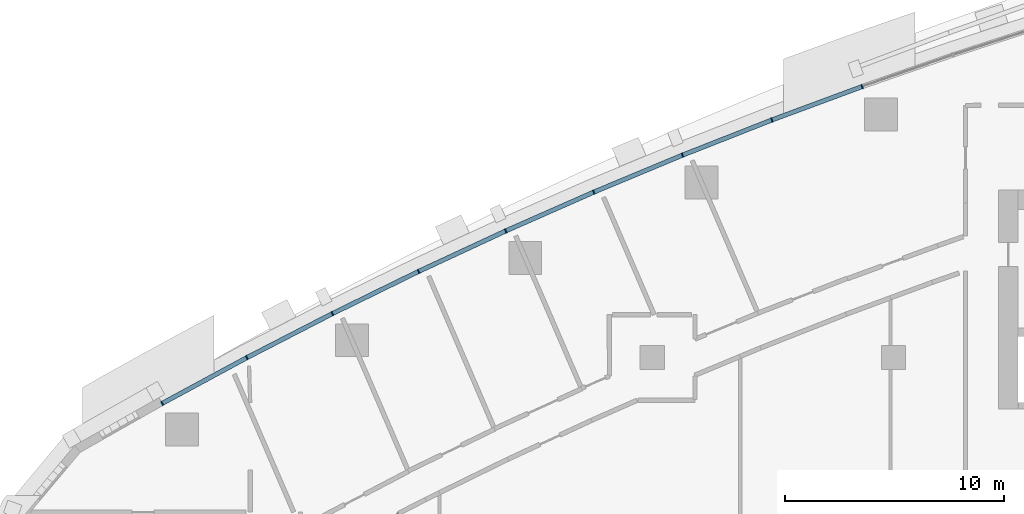
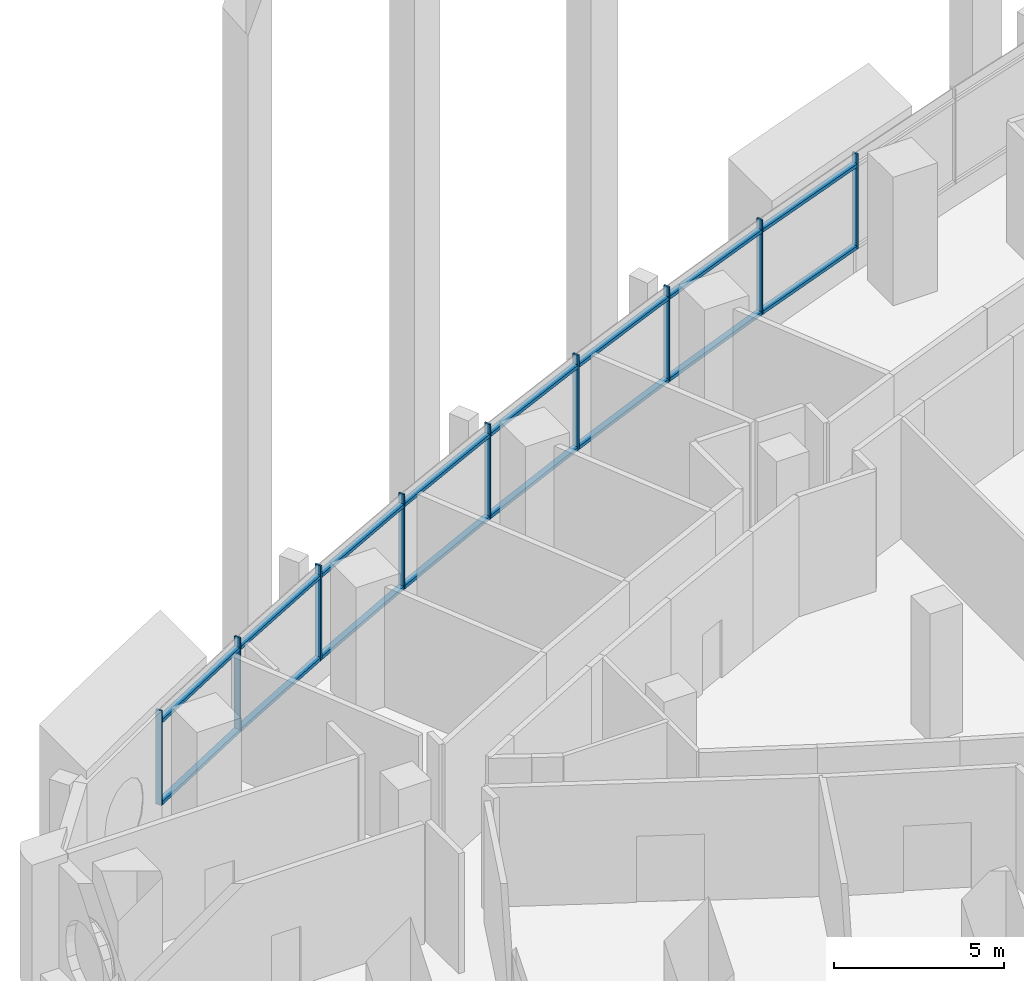
# One storey, part 4 of 17: 25 members, 5 elements without a shape of their own.
"""IFC4 building model written with IfcOpenShell, lengths in metres."""

from ifc_helpers import new_model, si_unit, direction, frame, origin, origin_2d, place, context, subcontext, project, spatial, rectangle, extrude, material, layer, layer_set, material_profile, profile_set, type_object, element, aggregate, save


model = new_model("IFC4")

# Units and contexts
model_context = context("Model", 3, precision=1e-05, world=origin(), true_north=direction((0.0, 1.0)))
body_context = subcontext(model_context, "Body", "Model", "MODEL_VIEW")
ifc_project = project(units=[si_unit("LENGTHUNIT", "METRE"), si_unit("AREAUNIT", "SQUARE_METRE"), si_unit("VOLUMEUNIT", "CUBIC_METRE"), si_unit("PLANEANGLEUNIT", "RADIAN"), si_unit("MASSUNIT", "GRAM", prefix="KILO")], contexts=[model_context])

# Site, building, storey
site_placement = place(None, origin())
site = spatial("IfcSite", under=ifc_project, at=site_placement, CompositionType="ELEMENT")
building_placement = place(site_placement, origin())
building = spatial("IfcBuilding", under=site, at=building_placement, Name="Ostrand Prow Hotel Tower", CompositionType="ELEMENT")
storey_placement = place(building_placement, frame((0.0, 0.0, 125.60009765625)))
storey = spatial("IfcBuildingStorey", under=building, at=storey_placement, Name="L30", CompositionType="ELEMENT", Elevation=125.60009765625)

# Curtain wall, member
ifc_material_1 = material(Name="Insulated glass in bronze anodised frame", Category="glass")
ifc_layer = layer(ifc_material_1, 0.199951171875)
ifc_layer_set = layer_set([ifc_layer], Name="Insulated glass in bronze anodised frame")
curtain_wall_type = type_object("IfcCurtainWallType", Name="Sky lobby full-height curtain wall", PredefinedType="NOTDEFINED", material=ifc_layer_set)
curtain_wall_1_placement = place(storey_placement, origin())
curtain_wall_1 = element("IfcCurtainWall", 1, at=curtain_wall_1_placement, inside=storey, type_object=curtain_wall_type, Name="CW3 run CWN1", PredefinedType="NOTDEFINED")
ifc_material_2 = material(Name="Bronze anodised aluminium", Category="aluminium")
ifc_material_profile_1 = material_profile(ifc_material_2, rectangle(XDim=0.199951171875, YDim=0.06005859375, at=origin_2d()), Name="Mullion 60x200 bronze anodised aluminium")
ifc_profile_set_1 = profile_set([ifc_material_profile_1], Name="Bronze anodised aluminium")
member_type_1 = type_object("IfcMemberType", Name="Mullion 60x200 bronze anodised aluminium", PredefinedType="MULLION", material=ifc_profile_set_1)
member_1_placement = place(storey_placement, frame((43.5751953125, 21.3642578125, 0.89990234375), z_axis=(0.0, 0.0, 1.0), x_axis=(0.328428177424, -0.944528947293, 0.0)))
member_1 = element("IfcMember", 2, at=member_1_placement, type_object=member_type_1, Name="CW3 mullion 3", PredefinedType="MULLION", context=body_context, shape_type="SweptSolid", body=[
    extrude(rectangle(XDim=0.199951171875, YDim=0.06005859375, at=origin_2d()), origin(), (0.0, 0.0, 1.0), 3.39990234375),
])
aggregate(curtain_wall_1, [member_1])

# Curtain wall, members
curtain_wall_2_placement = place(storey_placement, origin())
curtain_wall_2 = element("IfcCurtainWall", 3, at=curtain_wall_2_placement, inside=storey, type_object=curtain_wall_type, Name="CW3 run CWN2", PredefinedType="NOTDEFINED")
member_2_placement = place(storey_placement, frame((39.462158203125, 19.8408203125, 0.89990234375), z_axis=(0.0, 0.0, 1.0), x_axis=(0.366116334636, -0.930569089059, 0.0)))
member_2 = element("IfcMember", 4, at=member_2_placement, type_object=member_type_1, Name="CW3 mullion 2", PredefinedType="MULLION", context=body_context, shape_type="SweptSolid", body=[
    extrude(rectangle(XDim=0.199951171875, YDim=0.06005859375, at=origin_2d()), origin(), (0.0, 0.0, 1.0), 3.39990234375),
])
member_3_placement = place(storey_placement, frame((35.380615234375, 18.235107421875, 0.89990234375), z_axis=(0.0, 0.0, 1.0), x_axis=(0.366116334636, -0.930569089059, 0.0)))
member_3 = element("IfcMember", 5, at=member_3_placement, type_object=member_type_1, Name="CW3 mullion 3", PredefinedType="MULLION", context=body_context, shape_type="SweptSolid", body=[
    extrude(rectangle(XDim=0.199951171875, YDim=0.06005859375, at=origin_2d()), origin(), (0.0, 0.0, 1.0), 3.39990234375),
])

curtain_wall_3_placement = place(storey_placement, origin())
curtain_wall_3 = element("IfcCurtainWall", 6, at=curtain_wall_3_placement, inside=storey, type_object=curtain_wall_type, Name="CW3 run CWN3", PredefinedType="NOTDEFINED")
member_4_placement = place(storey_placement, frame((31.332275390625, 16.54736328125, 0.89990234375), z_axis=(0.0, 0.0, 1.0), x_axis=(0.403213113347, -0.915106105993, 0.0)))
member_4 = element("IfcMember", 7, at=member_4_placement, type_object=member_type_1, Name="CW3 mullion 2", PredefinedType="MULLION", context=body_context, shape_type="SweptSolid", body=[
    extrude(rectangle(XDim=0.199951171875, YDim=0.06005859375, at=origin_2d()), origin(), (0.0, 0.0, 1.0), 3.39990234375),
])
member_5_placement = place(storey_placement, frame((27.318359375, 14.77880859375, 0.89990234375), z_axis=(0.0, 0.0, 1.0), x_axis=(0.403213113347, -0.915106105993, 0.0)))
member_5 = element("IfcMember", 8, at=member_5_placement, type_object=member_type_1, Name="CW3 mullion 3", PredefinedType="MULLION", context=body_context, shape_type="SweptSolid", body=[
    extrude(rectangle(XDim=0.199951171875, YDim=0.06005859375, at=origin_2d()), origin(), (0.0, 0.0, 1.0), 3.39990234375),
])

curtain_wall_4_placement = place(storey_placement, origin())
curtain_wall_4 = element("IfcCurtainWall", 9, at=curtain_wall_4_placement, inside=storey, type_object=curtain_wall_type, Name="CW3 run CWN4", PredefinedType="NOTDEFINED")
member_6_placement = place(storey_placement, frame((23.341064453125, 12.93017578125, 0.89990234375), z_axis=(0.0, 0.0, 1.0), x_axis=(0.439658592061, -0.898164975061, 0.0)))
member_6 = element("IfcMember", 10, at=member_6_placement, type_object=member_type_1, Name="CW3 mullion 2", PredefinedType="MULLION", context=body_context, shape_type="SweptSolid", body=[
    extrude(rectangle(XDim=0.199951171875, YDim=0.06005859375, at=origin_2d()), origin(), (0.0, 0.0, 1.0), 3.39990234375),
])
member_7_placement = place(storey_placement, frame((19.401611328125, 11.001708984375, 0.89990234375), z_axis=(0.0, 0.0, 1.0), x_axis=(0.439658592061, -0.898164975061, 0.0)))
member_7 = element("IfcMember", 11, at=member_7_placement, type_object=member_type_1, Name="CW3 mullion 3", PredefinedType="MULLION", context=body_context, shape_type="SweptSolid", body=[
    extrude(rectangle(XDim=0.199951171875, YDim=0.06005859375, at=origin_2d()), origin(), (0.0, 0.0, 1.0), 3.39990234375),
])

curtain_wall_5_placement = place(storey_placement, origin())
curtain_wall_5 = element("IfcCurtainWall", 12, at=curtain_wall_5_placement, inside=storey, type_object=curtain_wall_type, Name="CW3 run CWN5", PredefinedType="NOTDEFINED")
member_8_placement = place(storey_placement, frame((15.501708984375, 8.99462890625, 0.89990234375), z_axis=(0.0, 0.0, 1.0), x_axis=(0.475393901316, -0.879773060847, 0.0)))
member_8 = element("IfcMember", 13, at=member_8_placement, type_object=member_type_1, Name="CW3 mullion 2", PredefinedType="MULLION", context=body_context, shape_type="SweptSolid", body=[
    extrude(rectangle(XDim=0.199951171875, YDim=0.06005859375, at=origin_2d()), origin(), (0.0, 0.0, 1.0), 3.39990234375),
])
member_9_placement = place(storey_placement, frame((11.64306640625, 6.909423828125, 0.89990234375), z_axis=(0.0, 0.0, 1.0), x_axis=(0.475393901316, -0.879773060847, 0.0)))
member_9 = element("IfcMember", 14, at=member_9_placement, type_object=member_type_1, Name="CW3 mullion 3", PredefinedType="MULLION", context=body_context, shape_type="SweptSolid", body=[
    extrude(rectangle(XDim=0.199951171875, YDim=0.06005859375, at=origin_2d()), origin(), (0.0, 0.0, 1.0), 3.39990234375),
])

# Member
ifc_material_3 = material(Name="Bronze anodised aluminium", Category="aluminium")
ifc_material_profile_2 = material_profile(ifc_material_3, rectangle(XDim=0.199951171875, YDim=0.1201171875, at=origin_2d()), Name="Transom 120x200 bronze anodised aluminium")
ifc_profile_set_2 = profile_set([ifc_material_profile_2], Name="Bronze anodised aluminium")
member_type_2 = type_object("IfcMemberType", Name="Transom 120x200 bronze anodised aluminium", PredefinedType="USERDEFINED", material=ifc_profile_set_2)
member_10_placement = place(storey_placement, frame((43.547119140625, 21.353759765625, 0.9599609375), z_axis=(-0.937756929379, -0.347292299657, 0.0), x_axis=(0.347292299657, -0.937756929379, 0.0)))
member_10 = element("IfcMember", 15, at=member_10_placement, type_object=member_type_2, Name="CW3 transom 1.1", ObjectType="TRANSOM", PredefinedType="USERDEFINED", context=body_context, shape_type="SweptSolid", body=[
    extrude(rectangle(XDim=0.199951171875, YDim=0.1201171875, at=origin_2d()), origin(), (0.0, 0.0, 1.0), 4.326171875),
])

member_11_placement = place(storey_placement, frame((43.547119140625, 21.353759765625, 3.89990234375), z_axis=(-0.937756929379, -0.347292299657, 0.0), x_axis=(0.347292299657, -0.937756929379, 0.0)))
member_11 = element("IfcMember", 16, at=member_11_placement, type_object=member_type_2, Name="CW3 transom 1.2", ObjectType="TRANSOM", PredefinedType="USERDEFINED", context=body_context, shape_type="SweptSolid", body=[
    extrude(rectangle(XDim=0.199951171875, YDim=0.1201171875, at=origin_2d()), origin(), (0.0, 0.0, 1.0), 4.326171875),
])

member_12_placement = place(storey_placement, frame((39.434326171875, 19.829833984375, 0.9599609375), z_axis=(-0.930563430162, -0.366130717701, 0.0), x_axis=(0.366130717701, -0.930563430162, 0.0)))
member_12 = element("IfcMember", 17, at=member_12_placement, type_object=member_type_2, Name="CW3 transom 2.1", ObjectType="TRANSOM", PredefinedType="USERDEFINED", context=body_context, shape_type="SweptSolid", body=[
    extrude(rectangle(XDim=0.199951171875, YDim=0.1201171875, at=origin_2d()), origin(), (0.0, 0.0, 1.0), 4.326171875),
])

member_13_placement = place(storey_placement, frame((39.434326171875, 19.829833984375, 3.89990234375), z_axis=(-0.930563430162, -0.366130717701, 0.0), x_axis=(0.366130717701, -0.930563430162, 0.0)))
member_13 = element("IfcMember", 18, at=member_13_placement, type_object=member_type_2, Name="CW3 transom 2.2", ObjectType="TRANSOM", PredefinedType="USERDEFINED", context=body_context, shape_type="SweptSolid", body=[
    extrude(rectangle(XDim=0.199951171875, YDim=0.1201171875, at=origin_2d()), origin(), (0.0, 0.0, 1.0), 4.326171875),
])

aggregate(curtain_wall_2, [member_2, member_3, member_10, member_11, member_12, member_13])

member_14_placement = place(storey_placement, frame((35.352783203125, 18.223388671875, 0.9599609375), z_axis=(-0.923028493412, -0.384731595206, 0.0), x_axis=(0.384731595206, -0.923028493412, 0.0)))
member_14 = element("IfcMember", 19, at=member_14_placement, type_object=member_type_2, Name="CW3 transom 1.1", ObjectType="TRANSOM", PredefinedType="USERDEFINED", context=body_context, shape_type="SweptSolid", body=[
    extrude(rectangle(XDim=0.199951171875, YDim=0.1201171875, at=origin_2d()), origin(), (0.0, 0.0, 1.0), 4.325927734375),
])

member_15_placement = place(storey_placement, frame((35.352783203125, 18.223388671875, 3.89990234375), z_axis=(-0.923028493412, -0.384731595206, 0.0), x_axis=(0.384731595206, -0.923028493412, 0.0)))
member_15 = element("IfcMember", 20, at=member_15_placement, type_object=member_type_2, Name="CW3 transom 1.2", ObjectType="TRANSOM", PredefinedType="USERDEFINED", context=body_context, shape_type="SweptSolid", body=[
    extrude(rectangle(XDim=0.199951171875, YDim=0.1201171875, at=origin_2d()), origin(), (0.0, 0.0, 1.0), 4.325927734375),
])

member_16_placement = place(storey_placement, frame((31.3046875, 16.535400390625, 0.9599609375), z_axis=(-0.91509853977, -0.403230284715, 0.0), x_axis=(0.403230284715, -0.91509853977, 0.0)))
member_16 = element("IfcMember", 21, at=member_16_placement, type_object=member_type_2, Name="CW3 transom 2.1", ObjectType="TRANSOM", PredefinedType="USERDEFINED", context=body_context, shape_type="SweptSolid", body=[
    extrude(rectangle(XDim=0.199951171875, YDim=0.1201171875, at=origin_2d()), origin(), (0.0, 0.0, 1.0), 4.325927734375),
])

member_17_placement = place(storey_placement, frame((31.3046875, 16.535400390625, 3.89990234375), z_axis=(-0.91509853977, -0.403230284715, 0.0), x_axis=(0.403230284715, -0.91509853977, 0.0)))
member_17 = element("IfcMember", 22, at=member_17_placement, type_object=member_type_2, Name="CW3 transom 2.2", ObjectType="TRANSOM", PredefinedType="USERDEFINED", context=body_context, shape_type="SweptSolid", body=[
    extrude(rectangle(XDim=0.199951171875, YDim=0.1201171875, at=origin_2d()), origin(), (0.0, 0.0, 1.0), 4.325927734375),
])

aggregate(curtain_wall_3, [member_4, member_5, member_14, member_15, member_16, member_17])

member_18_placement = place(storey_placement, frame((27.291259765625, 14.766357421875, 0.9599609375), z_axis=(-0.906796377468, -0.421568890944, 0.0), x_axis=(0.421568890944, -0.906796377468, 0.0)))
member_18 = element("IfcMember", 23, at=member_18_placement, type_object=member_type_2, Name="CW3 transom 1.1", ObjectType="TRANSOM", PredefinedType="USERDEFINED", context=body_context, shape_type="SweptSolid", body=[
    extrude(rectangle(XDim=0.199951171875, YDim=0.1201171875, at=origin_2d()), origin(), (0.0, 0.0, 1.0), 4.326171875),
])

member_19_placement = place(storey_placement, frame((27.291259765625, 14.766357421875, 3.89990234375), z_axis=(-0.906796377468, -0.421568890944, 0.0), x_axis=(0.421568890944, -0.906796377468, 0.0)))
member_19 = element("IfcMember", 24, at=member_19_placement, type_object=member_type_2, Name="CW3 transom 1.2", ObjectType="TRANSOM", PredefinedType="USERDEFINED", context=body_context, shape_type="SweptSolid", body=[
    extrude(rectangle(XDim=0.199951171875, YDim=0.1201171875, at=origin_2d()), origin(), (0.0, 0.0, 1.0), 4.326171875),
])

member_20_placement = place(storey_placement, frame((23.314208984375, 12.9169921875, 0.9599609375), z_axis=(-0.89815413626, -0.439680733623, 0.0), x_axis=(0.439680733623, -0.89815413626, 0.0)))
member_20 = element("IfcMember", 25, at=member_20_placement, type_object=member_type_2, Name="CW3 transom 2.1", ObjectType="TRANSOM", PredefinedType="USERDEFINED", context=body_context, shape_type="SweptSolid", body=[
    extrude(rectangle(XDim=0.199951171875, YDim=0.1201171875, at=origin_2d()), origin(), (0.0, 0.0, 1.0), 4.326171875),
])

member_21_placement = place(storey_placement, frame((23.314208984375, 12.9169921875, 3.89990234375), z_axis=(-0.89815413626, -0.439680733623, 0.0), x_axis=(0.439680733623, -0.89815413626, 0.0)))
member_21 = element("IfcMember", 26, at=member_21_placement, type_object=member_type_2, Name="CW3 transom 2.2", ObjectType="TRANSOM", PredefinedType="USERDEFINED", context=body_context, shape_type="SweptSolid", body=[
    extrude(rectangle(XDim=0.199951171875, YDim=0.1201171875, at=origin_2d()), origin(), (0.0, 0.0, 1.0), 4.326171875),
])

aggregate(curtain_wall_4, [member_6, member_7, member_18, member_19, member_20, member_21])

member_22_placement = place(storey_placement, frame((19.375, 10.988037109375, 0.9599609375), z_axis=(-0.88914020052, -0.457634902318, 0.0), x_axis=(0.457634902318, -0.88914020052, 0.0)))
member_22 = element("IfcMember", 27, at=member_22_placement, type_object=member_type_2, Name="CW3 transom 1.1", ObjectType="TRANSOM", PredefinedType="USERDEFINED", context=body_context, shape_type="SweptSolid", body=[
    extrude(rectangle(XDim=0.199951171875, YDim=0.1201171875, at=origin_2d()), origin(), (0.0, 0.0, 1.0), 4.325927734375),
])

member_23_placement = place(storey_placement, frame((19.375, 10.988037109375, 3.89990234375), z_axis=(-0.88914020052, -0.457634902318, 0.0), x_axis=(0.457634902318, -0.88914020052, 0.0)))
member_23 = element("IfcMember", 28, at=member_23_placement, type_object=member_type_2, Name="CW3 transom 1.2", ObjectType="TRANSOM", PredefinedType="USERDEFINED", context=body_context, shape_type="SweptSolid", body=[
    extrude(rectangle(XDim=0.199951171875, YDim=0.1201171875, at=origin_2d()), origin(), (0.0, 0.0, 1.0), 4.325927734375),
])

member_24_placement = place(storey_placement, frame((15.475341796875, 8.980224609375, 0.9599609375), z_axis=(-0.879765206929, -0.475408435639, 0.0), x_axis=(0.475408435639, -0.879765206929, 0.0)))
member_24 = element("IfcMember", 29, at=member_24_placement, type_object=member_type_2, Name="CW3 transom 2.1", ObjectType="TRANSOM", PredefinedType="USERDEFINED", context=body_context, shape_type="SweptSolid", body=[
    extrude(rectangle(XDim=0.199951171875, YDim=0.1201171875, at=origin_2d()), origin(), (0.0, 0.0, 1.0), 4.326171875),
])

member_25_placement = place(storey_placement, frame((15.475341796875, 8.980224609375, 3.89990234375), z_axis=(-0.879765206929, -0.475408435639, 0.0), x_axis=(0.475408435639, -0.879765206929, 0.0)))
member_25 = element("IfcMember", 30, at=member_25_placement, type_object=member_type_2, Name="CW3 transom 2.2", ObjectType="TRANSOM", PredefinedType="USERDEFINED", context=body_context, shape_type="SweptSolid", body=[
    extrude(rectangle(XDim=0.199951171875, YDim=0.1201171875, at=origin_2d()), origin(), (0.0, 0.0, 1.0), 4.326171875),
])

aggregate(curtain_wall_5, [member_8, member_9, member_22, member_23, member_24, member_25])

save(model, "model.ifc")
